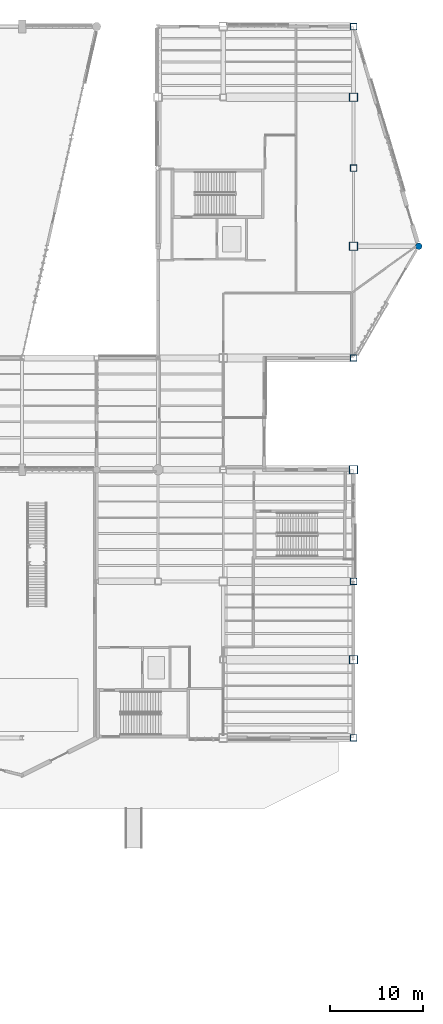
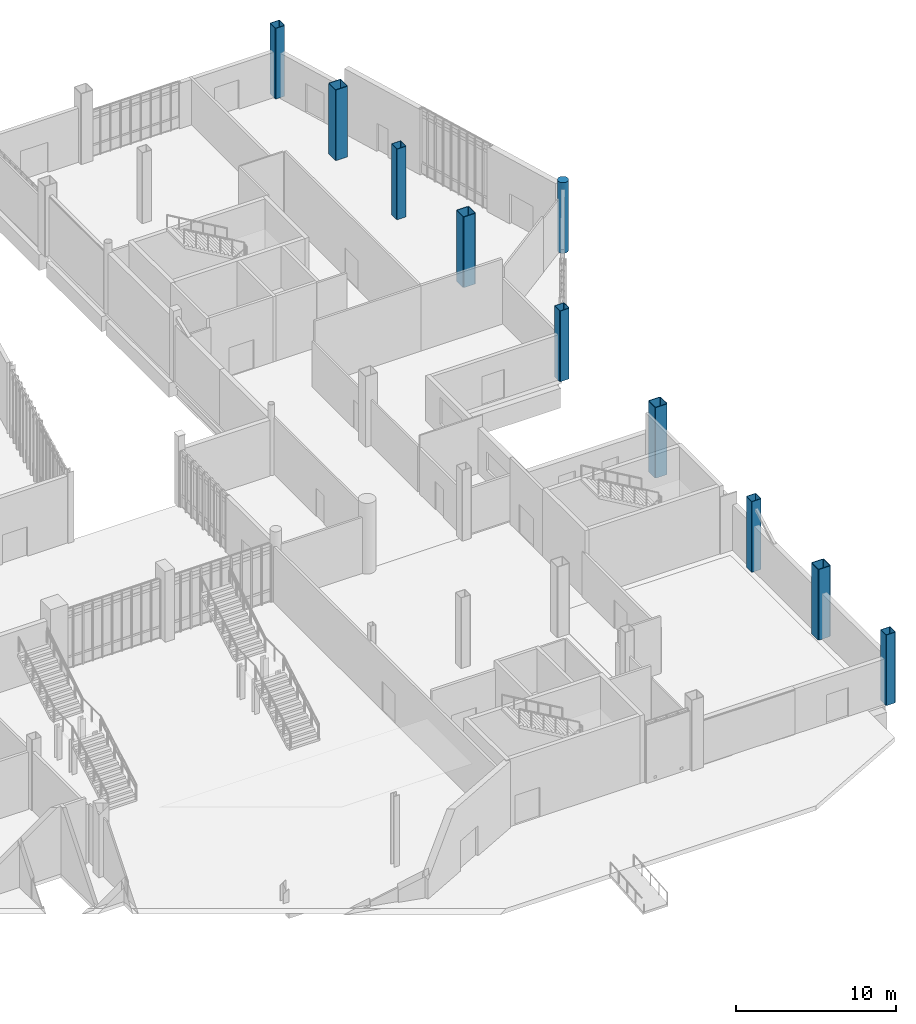
# One storey, part 12 of 111: 10 columns.
"""IFC4 building model written with IfcOpenShell, lengths in metres."""

from ifc_helpers import new_model, si_unit, direction, frame, origin, origin_2d, place, context, subcontext, project, spatial, hollow_rectangle, circle, extrude, material, material_profile, profile_set, type_object, element, save


model = new_model("IFC4")

# Units and contexts
model_context = context("Model", 3, precision=1e-05, world=origin(), true_north=direction((0.0, 1.0)))
body_context = subcontext(model_context, "Body", "Model", "MODEL_VIEW")
ifc_project = project(units=[si_unit("LENGTHUNIT", "METRE"), si_unit("AREAUNIT", "SQUARE_METRE"), si_unit("VOLUMEUNIT", "CUBIC_METRE"), si_unit("PLANEANGLEUNIT", "RADIAN"), si_unit("MASSUNIT", "GRAM", prefix="KILO")], contexts=[model_context])

# Site, building, storey
site_placement = place(None, origin())
site = spatial("IfcSite", under=ifc_project, at=site_placement, CompositionType="ELEMENT")
building_placement = place(site_placement, origin())
building = spatial("IfcBuilding", under=site, at=building_placement, Name="Larkvane Passage Sports Hall", CompositionType="ELEMENT")
storey_placement = place(building_placement, origin())
storey = spatial("IfcBuildingStorey", under=building, at=storey_placement, Name="L00", CompositionType="ELEMENT", Elevation=0.0)

# Columns
ifc_material_1 = material(Name="Concrete C40/50", Category="concrete")
ifc_material_profile_1 = material_profile(ifc_material_1, circle(Radius=0.35009765625, at=origin_2d()), Name="RC-CIR-700")
ifc_profile_set_1 = profile_set([ifc_material_profile_1], Name="Concrete C40/50")
column_type_1 = type_object("IfcColumnType", Name="COL-CIR-700", PredefinedType="COLUMN", material=ifc_profile_set_1)
column_placement = place(storey_placement, frame((152.60009765625, 75.60009765625, 0.0), z_axis=(0.0, 0.0, 1.0), x_axis=(1.0, 0.0, 0.0)))
element("IfcColumn", 1, at=column_placement, inside=storey, type_object=column_type_1, Name="Column 20/J L00", PredefinedType="COLUMN", context=body_context, shape_type="SweptSolid", body=[
    extrude(circle(Radius=0.35009765625, at=origin_2d()), origin(), (0.0, 0.0, 1.0), 5.39990234375),
])
ifc_material_2 = material(Name="Steel S460N", Category="steel")
ifc_material_profile_2 = material_profile(ifc_material_2, hollow_rectangle(XDim=0.699951171875, YDim=0.699951171875, WallThickness=0.028076171875, InnerFilletRadius=0.028076171875, OuterFilletRadius=0.055908203125, at=origin_2d()), Name="BOX-700x700x28")
ifc_profile_set_2 = profile_set([ifc_material_profile_2], Name="Steel S460N")
column_type_2 = type_object("IfcColumnType", Name="COL-STL-BOX700", PredefinedType="COLUMN", material=ifc_profile_set_2)
for number, where, z_axis, x_axis, name in (
    (2, (145.60009765625, 22.800048828125, 0.0), (0.0, 0.0, 1.0), (1.0, 0.0, 0.0), "Column 19/D L00"),
    (3, (145.60009765625, 39.60009765625, 0.0), (0.0, 0.0, 1.0), (1.0, 0.0, 0.0), "Column 19/F L00"),
    (4, (145.60009765625, 63.60009765625, 0.0), (0.0, 0.0, 1.0), (1.0, 0.0, 0.0), "Column 19/H L00"),
    (5, (145.60009765625, 84.0, 0.0), (0.0, 0.0, 1.0), (1.0, 0.0, 0.0), "Column 19/K L00"),
    (6, (145.60009765625, 99.199951171875, 0.0), (0.0, 0.0, 1.0), (1.0, 0.0, 0.0), "Column 19/M L00"),
):
    element("IfcColumn", number, at=place(storey_placement, frame(where, z_axis=z_axis, x_axis=x_axis)), inside=storey, type_object=column_type_2, Name=name, PredefinedType="COLUMN", context=body_context, shape_type="SweptSolid", body=[
        extrude(hollow_rectangle(XDim=0.699951171875, YDim=0.699951171875, WallThickness=0.028076171875, InnerFilletRadius=0.028076171875, OuterFilletRadius=0.055908203125, at=origin_2d()), origin(), (0.0, 0.0, 1.0), 5.39990234375),
    ])
ifc_material_profile_3 = material_profile(ifc_material_2, hollow_rectangle(XDim=0.89990234375, YDim=0.89990234375, WallThickness=0.035888671875, InnerFilletRadius=0.035888671875, OuterFilletRadius=0.072021484375, at=origin_2d()), Name="BOX-900x900x36")
ifc_profile_set_3 = profile_set([ifc_material_profile_3], Name="Steel S460N")
column_type_3 = type_object("IfcColumnType", Name="COL-STL-BOX900", PredefinedType="COLUMN", material=ifc_profile_set_3)
for number, where, z_axis, x_axis, name in (
    (7, (145.60009765625, 31.199951171875, 0.0), (0.0, 0.0, 1.0), (1.0, 0.0, 0.0), "Column 19/E L00"),
    (8, (145.60009765625, 51.60009765625, 0.0), (0.0, 0.0, 1.0), (1.0, 0.0, 0.0), "Column 19/G L00"),
    (9, (145.60009765625, 75.60009765625, 0.0), (0.0, 0.0, 1.0), (1.0, 0.0, 0.0), "Column 19/J L00"),
    (10, (145.60009765625, 91.60009765625, 0.0), (0.0, 0.0, 1.0), (1.0, 0.0, 0.0), "Column 19/L L00"),
):
    element("IfcColumn", number, at=place(storey_placement, frame(where, z_axis=z_axis, x_axis=x_axis)), inside=storey, type_object=column_type_3, Name=name, PredefinedType="COLUMN", context=body_context, shape_type="SweptSolid", body=[
        extrude(hollow_rectangle(XDim=0.89990234375, YDim=0.89990234375, WallThickness=0.035888671875, InnerFilletRadius=0.035888671875, OuterFilletRadius=0.072021484375, at=origin_2d()), origin(), (0.0, 0.0, 1.0), 5.39990234375),
    ])

save(model, "model.ifc")
